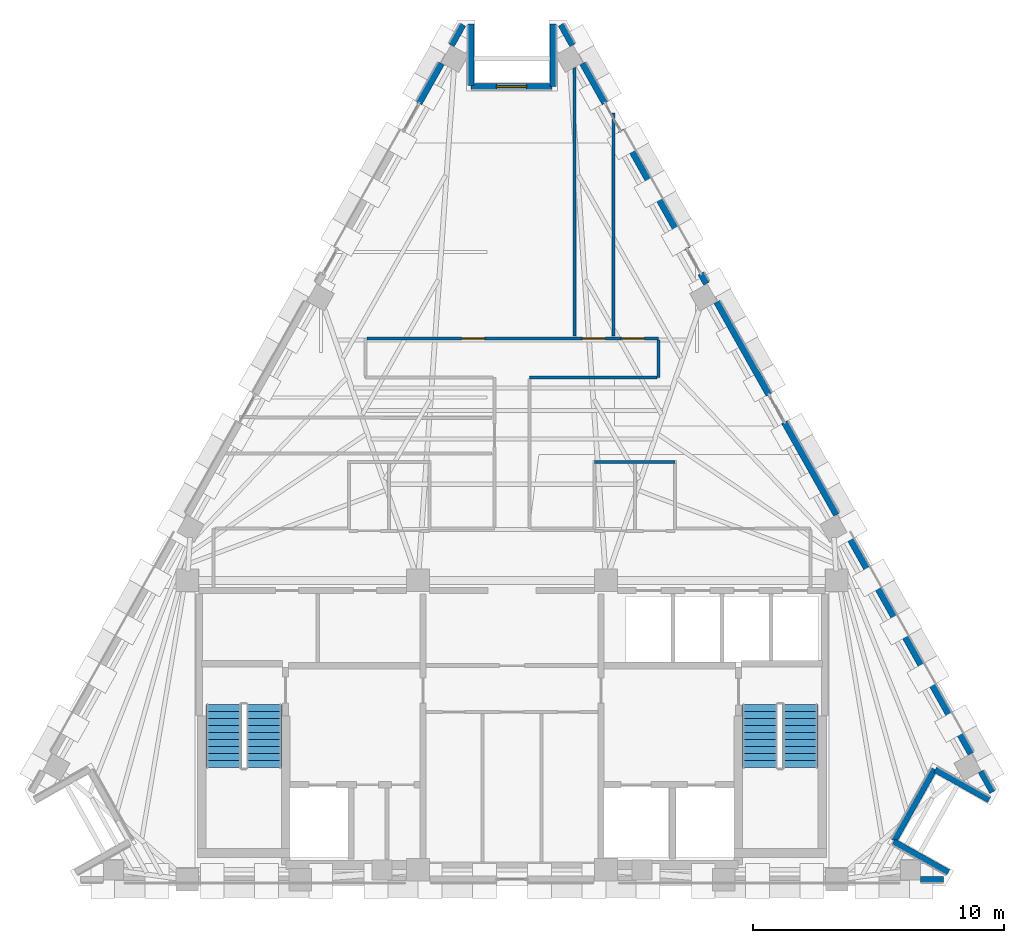
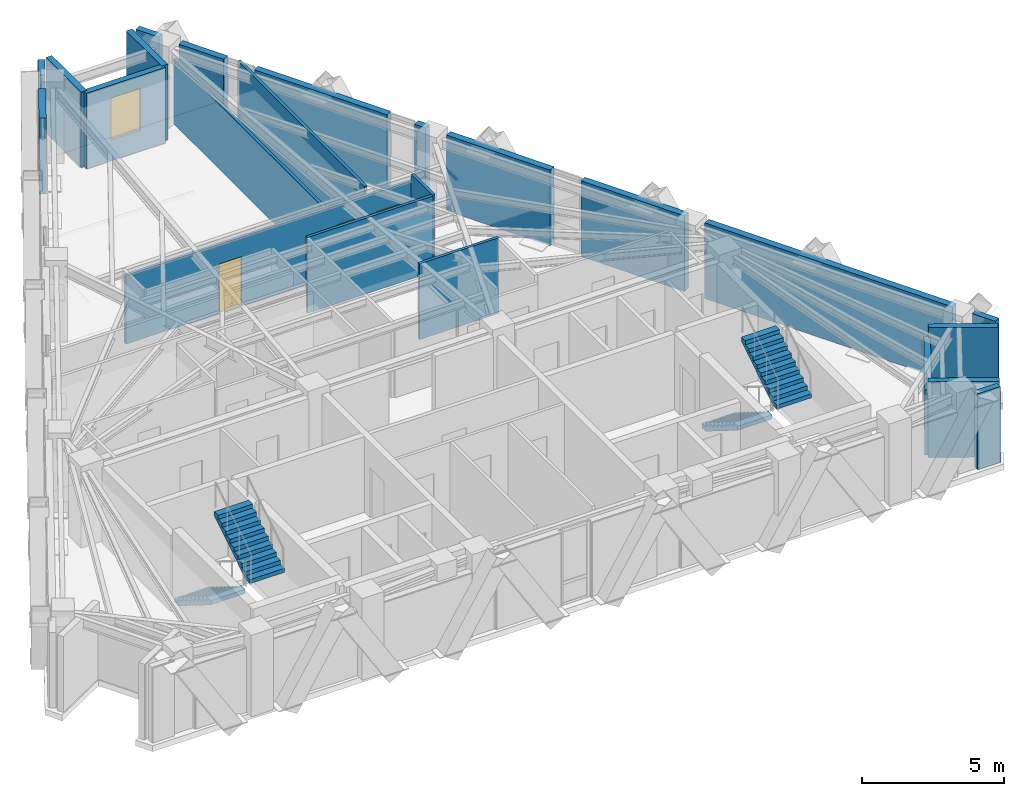
# One storey, part 7 of 9: 23 walls, 4 stair flights, 3 doors, 1 window, 4 openings, 2 elements without a shape of their own.
"""IFC4 building model written with IfcOpenShell, lengths in metres."""

from ifc_helpers import new_model, si_unit, direction, frame, frame_2d, origin, place, context, subcontext, project, spatial, polyline, rectangle, outline, extrude, material, layer, layer_set, type_object, element, fill, aggregate, save


model = new_model("IFC4")

# Units and contexts
model_context = context("Model", 3, precision=1e-05, world=origin(), true_north=direction((0.0, 1.0)))
body_context = subcontext(model_context, "Body", "Model", "MODEL_VIEW")
ifc_project = project(units=[si_unit("LENGTHUNIT", "METRE"), si_unit("AREAUNIT", "SQUARE_METRE"), si_unit("VOLUMEUNIT", "CUBIC_METRE"), si_unit("PLANEANGLEUNIT", "RADIAN"), si_unit("MASSUNIT", "GRAM", prefix="KILO")], contexts=[model_context])

# Site, building, storey
site_placement = place(None, origin())
site = spatial("IfcSite", under=ifc_project, at=site_placement, CompositionType="ELEMENT")
building_placement = place(site_placement, origin())
building = spatial("IfcBuilding", under=site, at=building_placement, Name="Quenlor Broadcast Tower", CompositionType="ELEMENT")
storey_placement = place(building_placement, frame((0.0, 0.0, 256.89990234375)))
storey = spatial("IfcBuildingStorey", under=building, at=storey_placement, Name="L71", CompositionType="ELEMENT", Elevation=256.89990234375)

# Wall
ifc_material_1 = material(Name="Gypsum Plasterboard Partition", Category="other")
ifc_layer_1 = layer(ifc_material_1, 0.1201171875)
ifc_layer_set_1 = layer_set([ifc_layer_1], Name="Standard Office Partition 120")
wall_type_1 = type_object("IfcWallType", Name="Standard Office Partition 120", PredefinedType="PARTITIONING", material=ifc_layer_set_1)
wall_1_placement = place(storey_placement, frame((3.2900390625, -0.070068359375, 0.0), z_axis=(0.0, 0.0, 1.0), x_axis=(1.0, 0.0, 0.0)))
element("IfcWall", 1, at=wall_1_placement, inside=storey, type_object=wall_type_1, Name="L71 Interior Wall PW-WCE-N", PredefinedType="PARTITIONING", context=body_context, shape_type="SweptSolid", body=[
    extrude(rectangle(XDim=3.219970703125, YDim=0.1201171875, at=frame_2d((1.60986328125, 0.0))), origin(), (0.0, 0.0, 1.0), 3.25),
])

# Wall, openings, doors
wall_2_placement = place(storey_placement, frame((-5.7880859375, 4.85009765625, 0.0), z_axis=(0.0, 0.0, 1.0), x_axis=(1.0, 0.0, 0.0)))
wall_2 = element("IfcWall", 2, at=wall_2_placement, inside=storey, type_object=wall_type_1, Name="L71 Interior Wall PW-CR-08", PredefinedType="PARTITIONING", context=body_context, shape_type="SweptSolid", body=[
    extrude(rectangle(XDim=11.63818359375, YDim=0.1201171875, at=frame_2d((5.819091796875, 0.0))), origin(), (0.0, 0.0, 1.0), 2.94287109375),
])
opening_1_placement = place(wall_2_placement, frame((8.593994140625, 0.0, 0.0)))
opening_1 = element("IfcOpeningElement", 3, at=opening_1_placement, cuts=wall_2, Name="Opening ID-1", PredefinedType="OPENING", context=body_context, shape_type="SweptSolid", body=[
    extrude(rectangle(XDim=0.919921875, YDim=2.1201171875, at=frame_2d((0.4599609375, 1.06005859375))), frame((0.0, 0.070068359375, 0.0), z_axis=(0.0, -1.0, 0.0), x_axis=(1.0, 0.0, 0.0)), (0.0, 0.0, 1.0), 0.14013671875),
])
opening_2_placement = place(wall_2_placement, frame((3.77392578125, 0.0, 0.0)))
opening_2 = element("IfcOpeningElement", 4, at=opening_2_placement, cuts=wall_2, Name="Opening ID-1", PredefinedType="OPENING", context=body_context, shape_type="SweptSolid", body=[
    extrude(rectangle(XDim=0.919921875, YDim=2.1201171875, at=frame_2d((0.4599609375, 1.06005859375))), frame((0.0, 0.070068359375, 0.0), z_axis=(0.0, -1.0, 0.0), x_axis=(1.0, 0.0, 0.0)), (0.0, 0.0, 1.0), 0.14013671875),
])
opening_3_placement = place(wall_2_placement, frame((10.14697265625, 0.0, 0.0)))
opening_3 = element("IfcOpeningElement", 5, at=opening_3_placement, cuts=wall_2, Name="Opening ID-1", PredefinedType="OPENING", context=body_context, shape_type="SweptSolid", body=[
    extrude(rectangle(XDim=0.919921875, YDim=2.1201171875, at=frame_2d((0.4599609375, 1.06005859375))), frame((0.0, 0.070068359375, 0.0), z_axis=(0.0, -1.0, 0.0), x_axis=(1.0, 0.0, 0.0)), (0.0, 0.0, 1.0), 0.14013671875),
])
ifc_material_2 = material(Name="Solid Core Timber Oak", Category="wood")
door_type = type_object("IfcDoorType", Name="Single Leaf Timber Office Door 920x2120", OperationType="NOTDEFINED", PredefinedType="DOOR", material=ifc_material_2)
door_1_placement = place(opening_1_placement, origin())
door_1 = element("IfcDoor", 6, at=door_1_placement, inside=storey, type_object=door_type, Name="L71 Door DR-RM01", OperationType="SINGLE_SWING_LEFT", OverallHeight=2.1201171875, OverallWidth=0.919921875, PredefinedType="DOOR", context=body_context, shape_type="SweptSolid", body=[
    extrude(rectangle(XDim=0.919921875, YDim=2.1201171875, at=frame_2d((0.4599609375, 1.06005859375))), frame((0.0, 0.02490234375, 0.0), z_axis=(0.0, -1.0, 0.0), x_axis=(1.0, 0.0, 0.0)), (0.0, 0.0, 1.0), 0.050048828125),
])
fill(opening_1, door_1)
door_2_placement = place(opening_2_placement, origin())
door_2 = element("IfcDoor", 7, at=door_2_placement, inside=storey, type_object=door_type, Name="L71 Door DR-RM02", OperationType="SINGLE_SWING_RIGHT", OverallHeight=2.1201171875, OverallWidth=0.919921875, PredefinedType="DOOR", context=body_context, shape_type="SweptSolid", body=[
    extrude(rectangle(XDim=0.919921875, YDim=2.1201171875, at=frame_2d((0.4599609375, 1.06005859375))), frame((0.0, 0.02490234375, 0.0), z_axis=(0.0, -1.0, 0.0), x_axis=(1.0, 0.0, 0.0)), (0.0, 0.0, 1.0), 0.050048828125),
])
fill(opening_2, door_2)
door_3_placement = place(opening_3_placement, origin())
door_3 = element("IfcDoor", 8, at=door_3_placement, inside=storey, type_object=door_type, Name="L71 Door DR-RM03", OperationType="SINGLE_SWING_LEFT", OverallHeight=2.1201171875, OverallWidth=0.919921875, PredefinedType="DOOR", context=body_context, shape_type="SweptSolid", body=[
    extrude(rectangle(XDim=0.919921875, YDim=2.1201171875, at=frame_2d((0.4599609375, 1.06005859375))), frame((0.0, 0.02490234375, 0.0), z_axis=(0.0, -1.0, 0.0), x_axis=(1.0, 0.0, 0.0)), (0.0, 0.0, 1.0), 0.050048828125),
])
fill(opening_3, door_3)

# Walls
wall_3_placement = place(storey_placement, frame((5.85009765625, 4.7880859375, 0.0), z_axis=(0.0, 0.0, 1.0), x_axis=(0.0, -1.0, 0.0)))
element("IfcWall", 9, at=wall_3_placement, inside=storey, type_object=wall_type_1, Name="L71 Interior Wall PW-CR-09", PredefinedType="PARTITIONING", context=body_context, shape_type="SweptSolid", body=[
    extrude(rectangle(XDim=1.488037109375, YDim=0.1201171875, at=frame_2d((0.744140625, 0.0))), origin(), (0.0, 0.0, 1.0), 3.25),
])
wall_4_placement = place(storey_placement, frame((5.7880859375, 3.300048828125, 0.0), z_axis=(0.0, 0.0, 1.0), x_axis=(-1.0, 0.0, 0.0)))
element("IfcWall", 10, at=wall_4_placement, inside=storey, type_object=wall_type_1, Name="L71 Interior Wall PW-CR-10", PredefinedType="PARTITIONING", context=body_context, shape_type="SweptSolid", body=[
    extrude(rectangle(XDim=5.088134765625, YDim=0.1201171875, at=frame_2d((2.5439453125, 0.0))), origin(), (0.0, 0.0, 1.0), 3.25),
])
wall_5_placement = place(storey_placement, frame((2.48388671875, 4.9599609375, 0.0), z_axis=(0.0, 0.0, 1.0), x_axis=(0.0, 1.0, 0.0)))
element("IfcWall", 11, at=wall_5_placement, inside=storey, type_object=wall_type_1, Name="L71 Interior Wall PW-DV-01", PredefinedType="PARTITIONING", context=body_context, shape_type="SweptSolid", body=[
    extrude(rectangle(XDim=10.703369140625, YDim=0.1201171875, at=frame_2d((5.3515625, 0.0))), origin(), (0.0, 0.0, 1.0), 2.789794921875),
])
wall_6_placement = place(storey_placement, frame((4.04736328125, 13.858154296875, 0.0), z_axis=(0.0, 0.0, 1.0), x_axis=(0.0, -1.0, 0.0)))
element("IfcWall", 12, at=wall_6_placement, inside=storey, type_object=wall_type_1, Name="L71 Interior Wall PW-DV-02", PredefinedType="PARTITIONING", context=body_context, shape_type="SweptSolid", body=[
    extrude(rectangle(XDim=8.898193359375, YDim=0.1201171875, at=frame_2d((4.44921875, 0.0))), origin(), (0.0, 0.0, 1.0), 3.25),
])
ifc_material_3 = material(Name="Precast concrete C40/50", Category="concrete")
ifc_layer_2 = layer(ifc_material_3, 0.239990234375)
ifc_layer_set_2 = layer_set([ifc_layer_2], Name="Terrace Threshold Precast Concrete C40/50 Wall 240")
wall_type_2 = type_object("IfcWallType", Name="Terrace Threshold Precast Concrete C40/50 Wall 240", PredefinedType="STANDARD", material=ifc_layer_set_2)
wall_7_placement = place(storey_placement, frame((17.219970703125, -16.72509765625, 0.0), z_axis=(0.0, 0.0, 1.0), x_axis=(-1.0, 0.0, 0.0)))
element("IfcWall", 13, at=wall_7_placement, inside=storey, type_object=wall_type_2, Name="L71 Exterior Wall L71-SHD-SS0", PredefinedType="STANDARD", context=body_context, shape_type="SweptSolid", body=[
    extrude(rectangle(XDim=0.91748046875, YDim=0.239990234375, at=frame_2d((0.458740234375, 0.0))), origin(), (0.0, 0.0, 1.0), 3.25),
])
for number, where, z_axis, x_axis, name in (
    (14, (1.94970703125, 17.372802734375, 0.0), (0.0, 0.0, 1.0), (0.490199895283, -0.871610040479, 0.0), "L71 Exterior Wall L71-SHD-NES0"),
    (15, (18.707763671875, -12.4189453125, 0.0), (0.0, 0.0, 1.0), (0.490199895283, -0.871610040479, 0.0), "L71 Exterior Wall L71-SHD-NES1"),
    (16, (-2.412841796875, 16.54931640625, 0.0), (0.0, 0.0, 1.0), (0.490199895283, 0.871610040479, 0.0), "L71 Exterior Wall L71-SHD-NWS1"),
):
    element("IfcWall", number, at=place(storey_placement, frame(where, z_axis=z_axis, x_axis=x_axis)), inside=storey, type_object=wall_type_2, Name=name, PredefinedType="STANDARD", context=body_context, shape_type="SweptSolid", body=[
        extrude(rectangle(XDim=0.94482421875, YDim=0.239990234375, at=frame_2d((0.472412109375, 0.0))), origin(), (0.0, 0.0, 1.0), 3.25),
    ])
wall_8_placement = place(storey_placement, frame((17.40771484375, -16.446533203125, 0.0), z_axis=(0.0, 0.0, 1.0), x_axis=(-0.871588577066, 0.490238056792, 0.0)))
element("IfcWall", 17, at=wall_8_placement, inside=storey, type_object=wall_type_2, Name="L71 Exterior Wall L71-CNR-01", PredefinedType="STANDARD", context=body_context, shape_type="SweptSolid", body=[
    extrude(rectangle(XDim=2.5, YDim=0.239990234375, at=frame_2d((1.25, 0.0))), origin(), (0.0, 0.0, 1.0), 3.25),
])
wall_9_placement = place(storey_placement, frame((15.248291015625, -15.18603515625, 0.0), z_axis=(0.0, 0.0, 1.0), x_axis=(0.490293083368, 0.871557624258, 0.0)))
element("IfcWall", 18, at=wall_9_placement, inside=storey, type_object=wall_type_2, Name="L71 Exterior Wall L71-CNR-02", PredefinedType="STANDARD", context=body_context, shape_type="SweptSolid", body=[
    extrude(rectangle(XDim=3.276123046875, YDim=0.239990234375, at=frame_2d((1.63818359375, 0.0))), origin(), (0.0, 0.0, 1.0), 2.789794921875),
])
wall_10_placement = place(storey_placement, frame((16.889404296875, -12.350341796875, 0.0), z_axis=(0.0, 0.0, 1.0), x_axis=(0.87157023615, -0.490270663468, 0.0)))
element("IfcWall", 19, at=wall_10_placement, inside=storey, type_object=wall_type_2, Name="L71 Exterior Wall L71-CNR-03", PredefinedType="STANDARD", context=body_context, shape_type="SweptSolid", body=[
    extrude(rectangle(XDim=2.4599609375, YDim=0.239990234375, at=frame_2d((1.22998046875, 0.0))), origin(), (0.0, 0.0, 1.0), 3.25),
])
wall_11_placement = place(storey_placement, frame((1.62890625, 17.39990234375, 0.0), z_axis=(0.0, 0.0, 1.0), x_axis=(0.0, -1.0, 0.0)))
element("IfcWall", 20, at=wall_11_placement, inside=storey, type_object=wall_type_2, Name="L71 Exterior Wall L71-CNR-07", PredefinedType="STANDARD", context=body_context, shape_type="SweptSolid", body=[
    extrude(rectangle(XDim=2.5, YDim=0.239990234375, at=frame_2d((1.25, 0.0))), origin(), (0.0, 0.0, 1.0), 3.25),
])

# Wall, opening, window
wall_12_placement = place(storey_placement, frame((1.5888671875, 14.89990234375, 0.0), z_axis=(0.0, 0.0, 1.0), x_axis=(-1.0, 0.0, 0.0)))
wall_12 = element("IfcWall", 21, at=wall_12_placement, inside=storey, type_object=wall_type_2, Name="L71 Exterior Wall L71-CNR-08", PredefinedType="STANDARD", context=body_context, shape_type="SweptSolid", body=[
    extrude(rectangle(XDim=3.2177734375, YDim=0.239990234375, at=frame_2d((1.60888671875, 0.0))), origin(), (0.0, 0.0, 1.0), 3.25),
])
opening_4_placement = place(wall_12_placement, frame((1.009033203125, 0.0, 0.89990234375)))
opening_4 = element("IfcOpeningElement", 22, at=opening_4_placement, cuts=wall_12, Name="Opening WN-5", PredefinedType="OPENING", context=body_context, shape_type="SweptSolid", body=[
    extrude(rectangle(XDim=1.199951171875, YDim=1.800048828125, at=frame_2d((0.60009765625, 0.89990234375))), frame((0.0, 0.1298828125, 0.0), z_axis=(0.0, -1.0, 0.0), x_axis=(1.0, 0.0, 0.0)), (0.0, 0.0, 1.0), 0.260009765625),
])
ifc_material_4 = material(Name="Thermally Broken Aluminium and Low-E Glass", Category="aluminium")
window_type = type_object("IfcWindowType", Name="Corner Chamfer Punched Window 1200x1800", PartitioningType="SINGLE_PANEL", PredefinedType="WINDOW", material=ifc_material_4)
window_placement = place(opening_4_placement, origin())
window = element("IfcWindow", 23, at=window_placement, inside=storey, type_object=window_type, Name="L71 Corner Chamfer Window 8", OverallHeight=1.800048828125, OverallWidth=1.199951171875, PartitioningType="SINGLE_PANEL", PredefinedType="WINDOW", context=body_context, shape_type="SweptSolid", body=[
    extrude(rectangle(XDim=1.199951171875, YDim=1.800048828125, at=frame_2d((0.60009765625, 0.89990234375))), frame((0.0, 0.030029296875, 0.0), z_axis=(0.0, -1.0, 0.0), x_axis=(1.0, 0.0, 0.0)), (0.0, 0.0, 1.0), 0.06005859375),
])
fill(opening_4, window)

# Walls
wall_13_placement = place(storey_placement, frame((-1.62890625, 14.93994140625, 0.0), z_axis=(0.0, 0.0, 1.0), x_axis=(0.0, 1.0, 0.0)))
element("IfcWall", 24, at=wall_13_placement, inside=storey, type_object=wall_type_2, Name="L71 Exterior Wall L71-CNR-09", PredefinedType="STANDARD", context=body_context, shape_type="SweptSolid", body=[
    extrude(rectangle(XDim=2.4599609375, YDim=0.239990234375, at=frame_2d((1.22998046875, 0.0))), origin(), (0.0, 0.0, 1.0), 3.25),
])
ifc_material_5 = material(Name="Precast concrete C40/50", Category="concrete")
ifc_layer_3 = layer(ifc_material_5, 0.260009765625)
ifc_layer_set_3 = layer_set([ifc_layer_3], Name="Terracotta Precast Concrete C40/50 Upper Wall 260")
wall_type_3 = type_object("IfcWallType", Name="Terracotta Precast Concrete C40/50 Upper Wall 260", PredefinedType="STANDARD", material=ifc_layer_set_3)
wall_14_placement = place(storey_placement, frame((2.81982421875, 15.825927734375, 0.0), z_axis=(0.0, 0.0, 1.0), x_axis=(0.490261239633, -0.871575537125, 0.0)))
element("IfcWall", 25, at=wall_14_placement, inside=storey, type_object=wall_type_3, Name="L71 Exterior Wall L71-NEA-SP1", PredefinedType="STANDARD", context=body_context, shape_type="SweptSolid", body=[
    extrude(rectangle(XDim=1.819580078125, YDim=0.260009765625, at=frame_2d((0.90966796875, 0.0))), origin(), (0.0, 0.0, 1.0), 3.25),
])
wall_15_placement = place(storey_placement, frame((4.329833984375, 13.1416015625, 0.0), z_axis=(0.0, 0.0, 1.0), x_axis=(0.490265525523, -0.871573126297, 0.0)))
element("IfcWall", 26, at=wall_15_placement, inside=storey, type_object=wall_type_3, Name="L71 Exterior Wall L71-NEA-SP2", PredefinedType="STANDARD", context=body_context, shape_type="SweptSolid", body=[
    extrude(rectangle(XDim=5.408935546875, YDim=0.260009765625, at=frame_2d((2.70458984375, 0.0))), origin(), (0.0, 0.0, 1.0), 3.25),
])
wall_16_placement = place(storey_placement, frame((7.534423828125, 7.444580078125, 0.0), z_axis=(0.0, 0.0, 1.0), x_axis=(0.490412424957, -0.871490478116, 0.0)))
element("IfcWall", 27, at=wall_16_placement, inside=storey, type_object=wall_type_3, Name="L71 Exterior Wall L71-NEA-SP3", PredefinedType="STANDARD", context=body_context, shape_type="SweptSolid", body=[
    extrude(rectangle(XDim=0.4599609375, YDim=0.260009765625, at=frame_2d((0.22998046875, 0.0))), origin(), (0.0, 0.0, 1.0), 3.25),
])
wall_17_placement = place(storey_placement, frame((13.350830078125, -2.895751953125, 0.0), z_axis=(0.0, 0.0, 1.0), x_axis=(0.490266968583, -0.871572314565, 0.0)))
element("IfcWall", 28, at=wall_17_placement, inside=storey, type_object=wall_type_3, Name="L71 Exterior Wall L71-EW-NEC", PredefinedType="STANDARD", context=body_context, shape_type="SweptSolid", body=[
    extrude(rectangle(XDim=10.116455078125, YDim=0.260009765625, at=frame_2d((5.05810546875, 0.0))), origin(), (0.0, 0.0, 1.0), 3.25),
])
wall_18_placement = place(storey_placement, frame((8.17431640625, 6.30712890625, 0.0), z_axis=(0.0, 0.0, 1.0), x_axis=(0.490269447258, -0.871570920284, 0.0)))
element("IfcWall", 29, at=wall_18_placement, inside=storey, type_object=wall_type_3, Name="L71 Exterior Wall L71-NE-SP1", PredefinedType="STANDARD", context=body_context, shape_type="SweptSolid", body=[
    extrude(rectangle(XDim=4.23681640625, YDim=0.260009765625, at=frame_2d((2.118408203125, 0.0))), origin(), (0.0, 0.0, 1.0), 3.25),
])
wall_19_placement = place(storey_placement, frame((10.869140625, 1.51611328125, 0.0), z_axis=(0.0, 0.0, 1.0), x_axis=(0.490244825075, -0.871584770109, 0.0)))
element("IfcWall", 30, at=wall_19_placement, inside=storey, type_object=wall_type_3, Name="L71 Exterior Wall L71-NE-SP2", PredefinedType="STANDARD", context=body_context, shape_type="SweptSolid", body=[
    extrude(rectangle(XDim=4.237060546875, YDim=0.260009765625, at=frame_2d((2.11865234375, 0.0))), origin(), (0.0, 0.0, 1.0), 3.25),
])
wall_20_placement = place(storey_placement, frame((-3.7119140625, 14.239990234375, 0.0), z_axis=(0.0, 0.0, 1.0), x_axis=(0.490261239633, 0.871575537125, 0.0)))
element("IfcWall", 31, at=wall_20_placement, inside=storey, type_object=wall_type_3, Name="L71 Exterior Wall L71-NWC-SP3", PredefinedType="STANDARD", context=body_context, shape_type="SweptSolid", body=[
    extrude(rectangle(XDim=1.819580078125, YDim=0.260009765625, at=frame_2d((0.90966796875, 0.0))), origin(), (0.0, 0.0, 1.0), 3.25),
])

# Stair, stair flights
ifc_material_6 = material(Name="Precast concrete C40/50", Category="concrete")
stair_type = type_object("IfcStairType", Name="Precast Concrete C40/50 Dogleg Stair H350", PredefinedType="HALF_TURN_STAIR", material=ifc_material_6)
stair_1_placement = place(storey_placement, origin())
stair_1 = element("IfcStair", 32, at=stair_1_placement, inside=storey, type_object=stair_type, Name="L71 West Core Fire-Isolated Exit Stair ST-1", PredefinedType="HALF_TURN_STAIR")
ifc_material_7 = material(Name="Precast concrete C40/50", Category="concrete")
ifc_layer_4 = layer(ifc_material_7, 0.159912109375)
ifc_layer_set_4 = layer_set([ifc_layer_4], Name="Precast Concrete C40/50 Stair Flight H350")
stair_flight_type = type_object("IfcStairFlightType", Name="Precast Concrete C40/50 Stair Flight H350", PredefinedType="STRAIGHT", material=ifc_layer_set_4)
stair_flight_1_placement = place(storey_placement, frame((-11.5, -9.75, 0.0), z_axis=(0.0, 0.0, 1.0), x_axis=(0.0, -1.0, 0.0)))
stair_flight_1 = element("IfcStairFlight", 33, at=stair_flight_1_placement, type_object=stair_flight_type, Name="ST-1 flight 1", NumberOfRisers=10, NumberOfTreads=9, PredefinedType="STRAIGHT", RiserHeight=0.175, TreadLength=0.28, context=body_context, shape_type="SweptSolid", body=[
    extrude(outline(polyline([(0.0, 0.0), (0.0, 0.175048828125), (0.280029296875, 0.175048828125), (0.280029296875, 0.35009765625), (0.56005859375, 0.35009765625), (0.56005859375, 0.52490234375), (0.840087890625, 0.52490234375), (0.840087890625, 0.699951171875), (1.1201171875, 0.699951171875), (1.1201171875, 0.875), (1.39990234375, 0.875), (1.39990234375, 1.050048828125), (1.679931640625, 1.050048828125), (1.679931640625, 1.22509765625), (1.9599609375, 1.22509765625), (1.9599609375, 1.39990234375), (2.239990234375, 1.39990234375), (2.239990234375, 1.574951171875), (2.52001953125, 1.574951171875), (2.52001953125, 1.75), (2.52001953125, 1.398193359375), (0.28271484375, 0.0), (0.0, 0.0)])), frame((0.0, 0.699951171875, 0.0), z_axis=(0.0, -1.0, 0.0), x_axis=(1.0, 0.0, 0.0)), (0.0, 0.0, 1.0), 1.39990234375),
])
stair_flight_2_placement = place(storey_placement, frame((-9.89990234375, -12.27001953125, 1.75), z_axis=(0.0, 0.0, 1.0), x_axis=(0.0, 1.0, 0.0)))
stair_flight_2 = element("IfcStairFlight", 34, at=stair_flight_2_placement, type_object=stair_flight_type, Name="ST-1 flight 2", NumberOfRisers=10, NumberOfTreads=9, PredefinedType="STRAIGHT", RiserHeight=0.175, TreadLength=0.28, context=body_context, shape_type="SweptSolid", body=[
    extrude(outline(polyline([(0.0, 0.0), (0.0, 0.175048828125), (0.280029296875, 0.175048828125), (0.280029296875, 0.35009765625), (0.56005859375, 0.35009765625), (0.56005859375, 0.52490234375), (0.840087890625, 0.52490234375), (0.840087890625, 0.699951171875), (1.1201171875, 0.699951171875), (1.1201171875, 0.875), (1.39990234375, 0.875), (1.39990234375, 1.050048828125), (1.679931640625, 1.050048828125), (1.679931640625, 1.22509765625), (1.9599609375, 1.22509765625), (1.9599609375, 1.39990234375), (2.239990234375, 1.39990234375), (2.239990234375, 1.574951171875), (2.52001953125, 1.574951171875), (2.52001953125, 1.75), (2.52001953125, 1.398193359375), (0.28271484375, 0.0), (0.0, 0.0)])), frame((0.0, 0.699951171875, 0.0), z_axis=(0.0, -1.0, 0.0), x_axis=(1.0, 0.0, 0.0)), (0.0, 0.0, 1.0), 1.39990234375),
])
aggregate(stair_1, [stair_flight_1, stair_flight_2])

stair_2_placement = place(storey_placement, origin())
stair_2 = element("IfcStair", 35, at=stair_2_placement, inside=storey, type_object=stair_type, Name="L71 East Core Fire-Isolated Exit Stair ST-2", PredefinedType="HALF_TURN_STAIR")
stair_flight_3_placement = place(storey_placement, frame((9.89990234375, -9.75, 0.0), z_axis=(0.0, 0.0, 1.0), x_axis=(0.0, -1.0, 0.0)))
stair_flight_3 = element("IfcStairFlight", 36, at=stair_flight_3_placement, type_object=stair_flight_type, Name="ST-2 flight 1", NumberOfRisers=10, NumberOfTreads=9, PredefinedType="STRAIGHT", RiserHeight=0.175, TreadLength=0.28, context=body_context, shape_type="SweptSolid", body=[
    extrude(outline(polyline([(0.0, 0.0), (0.0, 0.175048828125), (0.280029296875, 0.175048828125), (0.280029296875, 0.35009765625), (0.56005859375, 0.35009765625), (0.56005859375, 0.52490234375), (0.840087890625, 0.52490234375), (0.840087890625, 0.699951171875), (1.1201171875, 0.699951171875), (1.1201171875, 0.875), (1.39990234375, 0.875), (1.39990234375, 1.050048828125), (1.679931640625, 1.050048828125), (1.679931640625, 1.22509765625), (1.9599609375, 1.22509765625), (1.9599609375, 1.39990234375), (2.239990234375, 1.39990234375), (2.239990234375, 1.574951171875), (2.52001953125, 1.574951171875), (2.52001953125, 1.75), (2.52001953125, 1.398193359375), (0.28271484375, 0.0), (0.0, 0.0)])), frame((0.0, 0.699951171875, 0.0), z_axis=(0.0, -1.0, 0.0), x_axis=(1.0, 0.0, 0.0)), (0.0, 0.0, 1.0), 1.39990234375),
])
stair_flight_4_placement = place(storey_placement, frame((11.5, -12.27001953125, 1.75), z_axis=(0.0, 0.0, 1.0), x_axis=(0.0, 1.0, 0.0)))
stair_flight_4 = element("IfcStairFlight", 37, at=stair_flight_4_placement, type_object=stair_flight_type, Name="ST-2 flight 2", NumberOfRisers=10, NumberOfTreads=9, PredefinedType="STRAIGHT", RiserHeight=0.175, TreadLength=0.28, context=body_context, shape_type="SweptSolid", body=[
    extrude(outline(polyline([(0.0, 0.0), (0.0, 0.175048828125), (0.280029296875, 0.175048828125), (0.280029296875, 0.35009765625), (0.56005859375, 0.35009765625), (0.56005859375, 0.52490234375), (0.840087890625, 0.52490234375), (0.840087890625, 0.699951171875), (1.1201171875, 0.699951171875), (1.1201171875, 0.875), (1.39990234375, 0.875), (1.39990234375, 1.050048828125), (1.679931640625, 1.050048828125), (1.679931640625, 1.22509765625), (1.9599609375, 1.22509765625), (1.9599609375, 1.39990234375), (2.239990234375, 1.39990234375), (2.239990234375, 1.574951171875), (2.52001953125, 1.574951171875), (2.52001953125, 1.75), (2.52001953125, 1.398193359375), (0.28271484375, 0.0), (0.0, 0.0)])), frame((0.0, 0.699951171875, 0.0), z_axis=(0.0, -1.0, 0.0), x_axis=(1.0, 0.0, 0.0)), (0.0, 0.0, 1.0), 1.39990234375),
])
aggregate(stair_2, [stair_flight_3, stair_flight_4])

save(model, "model.ifc")
